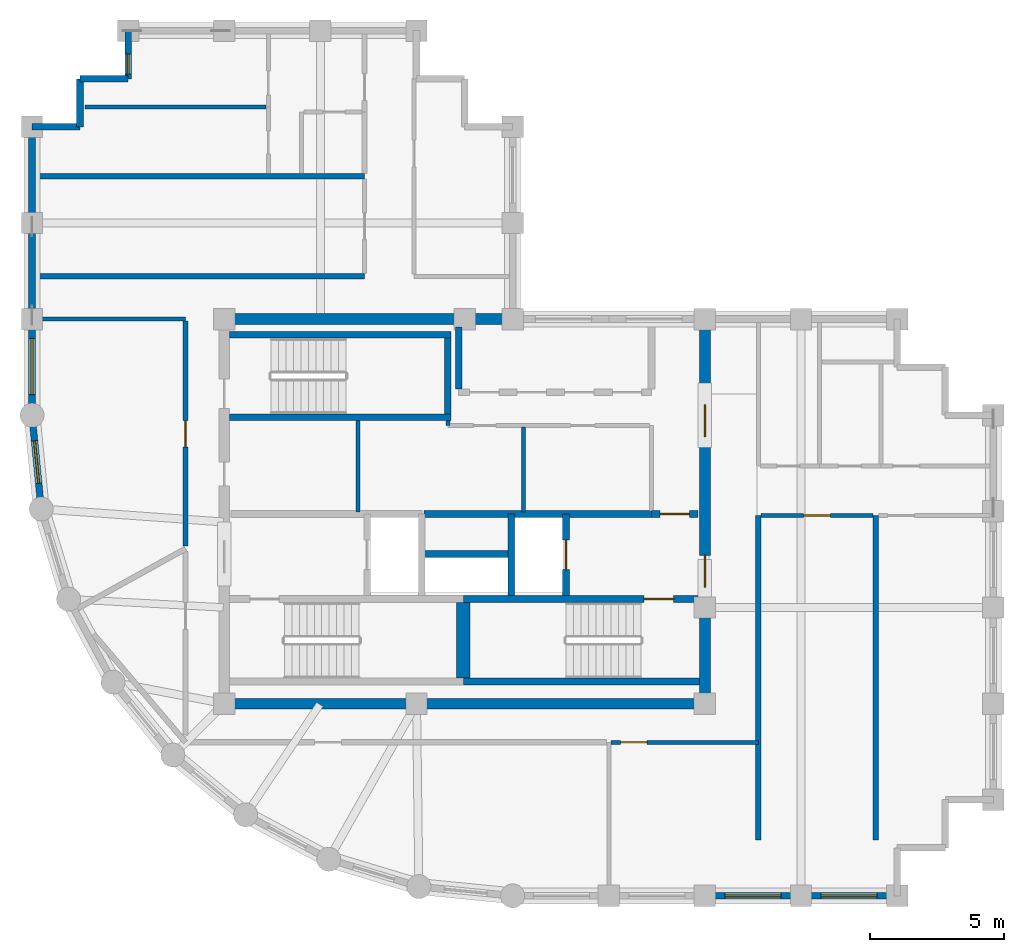
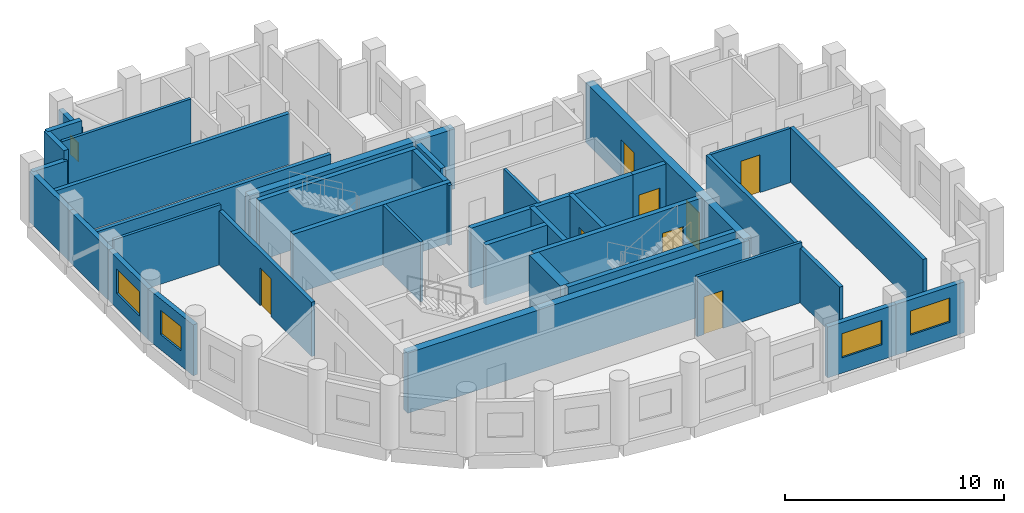
# One storey, part 3 of 6: 37 walls, 8 doors, 5 windows, 13 openings.
"""IFC4 building model written with IfcOpenShell, lengths in metres."""

from ifc_helpers import new_model, si_unit, direction, frame, frame_2d, origin, place, context, subcontext, project, spatial, rectangle, extrude, material, layer, layer_set, type_object, element, fill, save


model = new_model("IFC4")

# Units and contexts
model_context = context("Model", 3, precision=1e-05, world=origin(), true_north=direction((0.0, 1.0)))
body_context = subcontext(model_context, "Body", "Model", "MODEL_VIEW")
ifc_project = project(units=[si_unit("LENGTHUNIT", "METRE"), si_unit("AREAUNIT", "SQUARE_METRE"), si_unit("VOLUMEUNIT", "CUBIC_METRE"), si_unit("PLANEANGLEUNIT", "RADIAN"), si_unit("MASSUNIT", "GRAM", prefix="KILO")], contexts=[model_context])

# Site, building, storey
site_placement = place(None, origin())
site = spatial("IfcSite", under=ifc_project, at=site_placement, CompositionType="ELEMENT")
building_placement = place(site_placement, origin())
building = spatial("IfcBuilding", under=site, at=building_placement, Name="Solnavia Interchange Tower", CompositionType="ELEMENT")
storey_placement = place(building_placement, frame((0.0, 0.0, 277.39990234375)))
storey = spatial("IfcBuildingStorey", under=building, at=storey_placement, Name="L70", CompositionType="ELEMENT", Elevation=277.39990234375)

# Wall, opening, door
ifc_material_1 = material(Name="Gypsum Acoustic Twin-Stud & Mineral Wool", Category="gypsum")
ifc_layer_1 = layer(ifc_material_1, 0.199951171875)
ifc_layer_set_1 = layer_set([ifc_layer_1], Name="Gypsum Acoustic Twin-Stud & Mineral Wool")
wall_type_1 = type_object("IfcWallType", Name="Wall-ApartmentParty-200", PredefinedType="PARTITIONING", material=ifc_layer_set_1)
wall_1_placement = place(storey_placement, frame((12.949951171875, 16.7041015625, 0.0), z_axis=(0.0, 0.0, 1.0), x_axis=(0.0, 1.0, 0.0)))
wall_1 = element("IfcWall", 1, at=wall_1_placement, inside=storey, type_object=wall_type_1, Name="PTW-L70-11 Interior partition wall", PredefinedType="PARTITIONING", context=body_context, shape_type="SweptSolid", body=[
    extrude(rectangle(XDim=8.4169921875, YDim=0.199951171875, at=frame_2d((4.20849609375, 0.0))), origin(), (0.0, 0.0, 1.0), 3.02001953125),
])
opening_1_placement = place(wall_1_placement, frame((3.696044921875, 0.0, 0.0)))
opening_1 = element("IfcOpeningElement", 2, at=opening_1_placement, cuts=wall_1, Name="Opening DR-07", PredefinedType="OPENING", context=body_context, shape_type="SweptSolid", body=[
    extrude(rectangle(XDim=1.0, YDim=2.10009765625, at=frame_2d((0.5, 1.050048828125))), frame((0.0, 0.10986328125, 0.0), z_axis=(0.0, -1.0, 0.0), x_axis=(1.0, 0.0, 0.0)), (0.0, 0.0, 1.0), 0.219970703125),
])
ifc_material_2 = material(Name="Timber & Acoustic Glazed Office Door", Category="wood")
door_type_1 = type_object("IfcDoorType", Name="Door-Office-1000x2100", OperationType="SINGLE_SWING_RIGHT", PredefinedType="DOOR", material=ifc_material_2)
door_1_placement = place(opening_1_placement, origin())
door_1 = element("IfcDoor", 3, at=door_1_placement, inside=storey, type_object=door_type_1, Name="DR-L70-03 Interior room door", OperationType="SINGLE_SWING_LEFT", OverallHeight=2.10009765625, OverallWidth=1.0, PredefinedType="DOOR", context=body_context, shape_type="SweptSolid", body=[
    extrude(rectangle(XDim=1.0, YDim=2.10009765625, at=frame_2d((0.5, 1.050048828125))), frame((0.0, 0.02490234375, 0.0), z_axis=(0.0, -1.0, 0.0), x_axis=(1.0, 0.0, 0.0)), (0.0, 0.0, 1.0), 0.050048828125),
])
fill(opening_1, door_1)

# Walls
for number, where, z_axis, x_axis, name in (
    (4, (34.39990234375, 5.699951171875, 0.0), (0.0, 0.0, 1.0), (0.0, 1.0, 0.0), "PTW-L70-15 Interior partition wall"),
    (5, (38.800048828125, 5.699951171875, 0.0), (0.0, 0.0, 1.0), (0.0, 1.0, 0.0), "PTW-L70-16 Interior partition wall"),
):
    element("IfcWall", number, at=place(storey_placement, frame(where, z_axis=z_axis, x_axis=x_axis)), inside=storey, type_object=wall_type_1, Name=name, PredefinedType="PARTITIONING", context=body_context, shape_type="SweptSolid", body=[
        extrude(rectangle(XDim=12.150146484375, YDim=0.199951171875, at=frame_2d((6.0751953125, 0.0))), origin(), (0.0, 0.0, 1.0), 3.030029296875),
    ])
for number, where, z_axis, x_axis, name in (
    (6, (7.3291015625, 26.800048828125, 0.0), (0.0, 0.0, 1.0), (1.0, 0.0, 0.0), "PTW-L70-20 Interior partition wall"),
    (7, (7.3291015625, 30.550048828125, 0.0), (0.0, 0.0, 1.0), (1.0, 0.0, 0.0), "PTW-L70-21 Interior partition wall"),
):
    element("IfcWall", number, at=place(storey_placement, frame(where, z_axis=z_axis, x_axis=x_axis)), inside=storey, type_object=wall_type_1, Name=name, PredefinedType="PARTITIONING", context=body_context, shape_type="SweptSolid", body=[
        extrude(rectangle(XDim=12.32080078125, YDim=0.199951171875, at=frame_2d((6.160400390625, 0.0))), origin(), (0.0, 0.0, 1.0), 2.830078125),
    ])

# Wall, opening, window
ifc_material_3 = material(Name="Concrete C40/50", Category="concrete")
ifc_layer_2 = layer(ifc_material_3, 0.25)
ifc_layer_set_2 = layer_set([ifc_layer_2], Name="Concrete C40/50")
wall_type_2 = type_object("IfcWallType", Name="Wall-ExtSpandrel-250", PredefinedType="STANDARD", material=ifc_layer_set_2)
wall_2_placement = place(storey_placement, frame((36.0, 3.60009765625, 0.0), z_axis=(0.0, 0.0, 1.0), x_axis=(-1.0, 0.0, 0.0)))
wall_2 = element("IfcWall", 8, at=wall_2_placement, inside=storey, type_object=wall_type_2, Name="EXW-L70-03 Exterior precast spandrel wall", PredefinedType="STANDARD", context=body_context, shape_type="SweptSolid", body=[
    extrude(rectangle(XDim=3.60009765625, YDim=0.25, at=frame_2d((1.800048828125, 0.0))), origin(), (0.0, 0.0, 1.0), 2.830078125),
])
opening_2_placement = place(wall_2_placement, frame((0.75, 0.0, 0.85009765625)))
opening_2 = element("IfcOpeningElement", 9, at=opening_2_placement, cuts=wall_2, Name="Opening WIN-01", PredefinedType="OPENING", context=body_context, shape_type="SweptSolid", body=[
    extrude(rectangle(XDim=2.10009765625, YDim=1.35009765625, at=frame_2d((1.050048828125, 0.675048828125))), frame((0.0, 0.135009765625, 0.0), z_axis=(0.0, -1.0, 0.0), x_axis=(1.0, 0.0, 0.0)), (0.0, 0.0, 1.0), 0.27001953125),
])
ifc_material_4 = material(Name="Thermal-Break Aluminium & Low-E Glass", Category="aluminium")
window_type_1 = type_object("IfcWindowType", Name="Window-Ribbon-2100x1350", PartitioningType="SINGLE_PANEL", PredefinedType="WINDOW", material=ifc_material_4)
window_1_placement = place(opening_2_placement, origin())
window_1 = element("IfcWindow", 10, at=window_1_placement, inside=storey, type_object=window_type_1, Name="WIN-L70-03 Facade ribbon window", OverallHeight=1.35009765625, OverallWidth=2.10009765625, PartitioningType="SINGLE_PANEL", PredefinedType="WINDOW", context=body_context, shape_type="SweptSolid", body=[
    extrude(rectangle(XDim=2.10009765625, YDim=1.35009765625, at=frame_2d((1.050048828125, 0.675048828125))), frame((0.0, 0.030029296875, 0.0), z_axis=(0.0, -1.0, 0.0), x_axis=(1.0, 0.0, 0.0)), (0.0, 0.0, 1.0), 0.06005859375),
])
fill(opening_2, window_1)

wall_3_placement = place(storey_placement, frame((39.60009765625, 3.60009765625, 0.0), z_axis=(0.0, 0.0, 1.0), x_axis=(-1.0, 0.0, 0.0)))
wall_3 = element("IfcWall", 11, at=wall_3_placement, inside=storey, type_object=wall_type_2, Name="EXW-L70-04 Exterior precast spandrel wall", PredefinedType="STANDARD", context=body_context, shape_type="SweptSolid", body=[
    extrude(rectangle(XDim=3.60009765625, YDim=0.25, at=frame_2d((1.800048828125, 0.0))), origin(), (0.0, 0.0, 1.0), 2.830078125),
])
opening_3_placement = place(wall_3_placement, frame((0.75, 0.0, 0.85009765625)))
opening_3 = element("IfcOpeningElement", 12, at=opening_3_placement, cuts=wall_3, Name="Opening WIN-01", PredefinedType="OPENING", context=body_context, shape_type="SweptSolid", body=[
    extrude(rectangle(XDim=2.10009765625, YDim=1.35009765625, at=frame_2d((1.050048828125, 0.675048828125))), frame((0.0, 0.135009765625, 0.0), z_axis=(0.0, -1.0, 0.0), x_axis=(1.0, 0.0, 0.0)), (0.0, 0.0, 1.0), 0.27001953125),
])
window_2_placement = place(opening_3_placement, origin())
window_2 = element("IfcWindow", 13, at=window_2_placement, inside=storey, type_object=window_type_1, Name="WIN-L70-04 Facade ribbon window", OverallHeight=1.35009765625, OverallWidth=2.10009765625, PartitioningType="SINGLE_PANEL", PredefinedType="WINDOW", context=body_context, shape_type="SweptSolid", body=[
    extrude(rectangle(XDim=2.10009765625, YDim=1.35009765625, at=frame_2d((1.050048828125, 0.675048828125))), frame((0.0, 0.030029296875, 0.0), z_axis=(0.0, -1.0, 0.0), x_axis=(1.0, 0.0, 0.0)), (0.0, 0.0, 1.0), 0.06005859375),
])
fill(opening_3, window_2)

wall_4_placement = place(storey_placement, frame((10.800048828125, 34.199951171875, 0.0), z_axis=(0.0, 0.0, 1.0), x_axis=(0.0, 1.0, 0.0)))
wall_4 = element("IfcWall", 14, at=wall_4_placement, inside=storey, type_object=wall_type_2, Name="EXW-L70-30 Exterior precast spandrel wall", PredefinedType="STANDARD", context=body_context, shape_type="SweptSolid", body=[
    extrude(rectangle(XDim=1.800048828125, YDim=0.25, at=frame_2d((0.89990234375, 0.0))), origin(), (0.0, 0.0, 1.0), 2.830078125),
])
opening_4_placement = place(wall_4_placement, frame((0.179931640625, 0.0, 0.85009765625)))
opening_4 = element("IfcOpeningElement", 15, at=opening_4_placement, cuts=wall_4, Name="Opening WIN-08", PredefinedType="OPENING", context=body_context, shape_type="SweptSolid", body=[
    extrude(rectangle(XDim=0.75, YDim=1.050048828125, at=frame_2d((0.375, 0.52490234375))), frame((0.0, 0.135009765625, 0.0), z_axis=(0.0, -1.0, 0.0), x_axis=(1.0, 0.0, 0.0)), (0.0, 0.0, 1.0), 0.27001953125),
])
window_type_2 = type_object("IfcWindowType", Name="Window-Bedroom-750x1050", PartitioningType="SINGLE_PANEL", PredefinedType="WINDOW", material=ifc_material_4)
window_3_placement = place(opening_4_placement, origin())
window_3 = element("IfcWindow", 16, at=window_3_placement, inside=storey, type_object=window_type_2, Name="WIN-L70-DW01 Dwelling bedroom window", OverallHeight=1.050048828125, OverallWidth=0.75, PartitioningType="SINGLE_PANEL", PredefinedType="WINDOW", context=body_context, shape_type="SweptSolid", body=[
    extrude(rectangle(XDim=0.75, YDim=1.050048828125, at=frame_2d((0.375, 0.52490234375))), frame((0.0, 0.030029296875, 0.0), z_axis=(0.0, -1.0, 0.0), x_axis=(1.0, 0.0, 0.0)), (0.0, 0.0, 1.0), 0.06005859375),
])
fill(opening_4, window_3)

# Walls
for number, where, z_axis, x_axis, name in (
    (17, (9.0, 34.199951171875, 0.0), (0.0, 0.0, 1.0), (1.0, 0.0, 0.0), "EXW-L70-31 Exterior precast spandrel wall"),
    (18, (9.0, 32.39990234375, 0.0), (0.0, 0.0, 1.0), (0.0, 1.0, 0.0), "EXW-L70-32 Exterior precast spandrel wall"),
):
    element("IfcWall", number, at=place(storey_placement, frame(where, z_axis=z_axis, x_axis=x_axis)), inside=storey, type_object=wall_type_2, Name=name, PredefinedType="STANDARD", context=body_context, shape_type="SweptSolid", body=[
        extrude(rectangle(XDim=1.800048828125, YDim=0.25, at=frame_2d((0.89990234375, 0.0))), origin(), (0.0, 0.0, 1.0), 3.335205078125),
    ])
wall_5_placement = place(storey_placement, frame((7.199951171875, 32.39990234375, 0.0), z_axis=(0.0, 0.0, 1.0), x_axis=(1.0, 0.0, 0.0)))
element("IfcWall", 19, at=wall_5_placement, inside=storey, type_object=wall_type_2, Name="EXW-L70-33 Exterior precast spandrel wall", PredefinedType="STANDARD", context=body_context, shape_type="SweptSolid", body=[
    extrude(rectangle(XDim=1.800048828125, YDim=0.25, at=frame_2d((0.89990234375, 0.0))), origin(), (0.0, 0.0, 1.0), 2.830078125),
])
wall_6_placement = place(storey_placement, frame((7.199951171875, 28.800048828125, 0.0), z_axis=(0.0, 0.0, 1.0), x_axis=(0.0, 1.0, 0.0)))
element("IfcWall", 20, at=wall_6_placement, inside=storey, type_object=wall_type_2, Name="EXW-L70-34 Exterior precast spandrel wall", PredefinedType="STANDARD", context=body_context, shape_type="SweptSolid", body=[
    extrude(rectangle(XDim=3.599853515625, YDim=0.25, at=frame_2d((1.7998046875, 0.0))), origin(), (0.0, 0.0, 1.0), 2.830078125),
])
wall_7_placement = place(storey_placement, frame((7.199951171875, 25.199951171875, 0.0), z_axis=(0.0, 0.0, 1.0), x_axis=(0.0, 1.0, 0.0)))
element("IfcWall", 21, at=wall_7_placement, inside=storey, type_object=wall_type_2, Name="EXW-L70-35 Exterior precast spandrel wall", PredefinedType="STANDARD", context=body_context, shape_type="SweptSolid", body=[
    extrude(rectangle(XDim=3.60009765625, YDim=0.25, at=frame_2d((1.800048828125, 0.0))), origin(), (0.0, 0.0, 1.0), 2.830078125),
])

# Wall, opening, window
wall_8_placement = place(storey_placement, frame((7.199951171875, 21.60009765625, 0.0), z_axis=(0.0, 0.0, 1.0), x_axis=(0.0, 1.0, 0.0)))
wall_8 = element("IfcWall", 22, at=wall_8_placement, inside=storey, type_object=wall_type_2, Name="EXW-L70-36 Exterior precast spandrel wall", PredefinedType="STANDARD", context=body_context, shape_type="SweptSolid", body=[
    extrude(rectangle(XDim=3.599853515625, YDim=0.25, at=frame_2d((1.7998046875, 0.0))), origin(), (0.0, 0.0, 1.0), 2.830078125),
])
opening_5_placement = place(wall_8_placement, frame((0.77490234375, 0.0, 0.85009765625)))
opening_5 = element("IfcOpeningElement", 23, at=opening_5_placement, cuts=wall_8, Name="Opening WIN-01", PredefinedType="OPENING", context=body_context, shape_type="SweptSolid", body=[
    extrude(rectangle(XDim=2.10009765625, YDim=1.35009765625, at=frame_2d((1.050048828125, 0.675048828125))), frame((0.0, 0.135009765625, 0.0), z_axis=(0.0, -1.0, 0.0), x_axis=(1.0, 0.0, 0.0)), (0.0, 0.0, 1.0), 0.27001953125),
])
window_4_placement = place(opening_5_placement, origin())
window_4 = element("IfcWindow", 24, at=window_4_placement, inside=storey, type_object=window_type_1, Name="WIN-L70-36 Facade ribbon window", OverallHeight=1.35009765625, OverallWidth=2.10009765625, PartitioningType="SINGLE_PANEL", PredefinedType="WINDOW", context=body_context, shape_type="SweptSolid", body=[
    extrude(rectangle(XDim=2.10009765625, YDim=1.35009765625, at=frame_2d((1.050048828125, 0.675048828125))), frame((0.0, 0.030029296875, 0.0), z_axis=(0.0, -1.0, 0.0), x_axis=(1.0, 0.0, 0.0)), (0.0, 0.0, 1.0), 0.06005859375),
])
fill(opening_5, window_4)

wall_9_placement = place(storey_placement, frame((7.5458984375, 18.087890625, 0.0), z_axis=(0.0, 0.0, 1.0), x_axis=(-0.09802417461, 0.995184033831, 0.0)))
wall_9 = element("IfcWall", 25, at=wall_9_placement, inside=storey, type_object=wall_type_2, Name="EXW-L70-37 Exterior precast spandrel wall", PredefinedType="STANDARD", context=body_context, shape_type="SweptSolid", body=[
    extrude(rectangle(XDim=3.529296875, YDim=0.25, at=frame_2d((1.7646484375, 0.0))), origin(), (0.0, 0.0, 1.0), 2.830078125),
])
opening_6_placement = place(wall_9_placement, frame((0.965087890625, 0.0, 0.85009765625)))
opening_6 = element("IfcOpeningElement", 26, at=opening_6_placement, cuts=wall_9, Name="Opening WIN-04", PredefinedType="OPENING", context=body_context, shape_type="SweptSolid", body=[
    extrude(rectangle(XDim=1.60009765625, YDim=1.35009765625, at=frame_2d((0.800048828125, 0.675048828125))), frame((0.0, 0.135009765625, 0.0), z_axis=(0.0, -1.0, 0.0), x_axis=(1.0, 0.0, 0.0)), (0.0, 0.0, 1.0), 0.27001953125),
])
window_type_3 = type_object("IfcWindowType", Name="Window-Drum-1600x1350", PartitioningType="SINGLE_PANEL", PredefinedType="WINDOW", material=ifc_material_4)
window_5_placement = place(opening_6_placement, origin())
window_5 = element("IfcWindow", 27, at=window_5_placement, inside=storey, type_object=window_type_3, Name="WIN-L70-37 Facade ribbon window", OverallHeight=1.35009765625, OverallWidth=1.60009765625, PartitioningType="SINGLE_PANEL", PredefinedType="WINDOW", context=body_context, shape_type="SweptSolid", body=[
    extrude(rectangle(XDim=1.60009765625, YDim=1.35009765625, at=frame_2d((0.800048828125, 0.675048828125))), frame((0.0, 0.030029296875, 0.0), z_axis=(0.0, -1.0, 0.0), x_axis=(1.0, 0.0, 0.0)), (0.0, 0.0, 1.0), 0.06005859375),
])
fill(opening_6, window_5)

# Walls
ifc_material_5 = material(Name="Gypsum Plasterboard & Steel Stud", Category="steel")
ifc_layer_3 = layer(ifc_material_5, 0.14990234375)
ifc_layer_set_3 = layer_set([ifc_layer_3], Name="Gypsum Plasterboard & Steel Stud")
wall_type_3 = type_object("IfcWallType", Name="Wall-Partition-150", PredefinedType="PARTITIONING", material=ifc_layer_set_3)
wall_10_placement = place(storey_placement, frame((22.77490234375, 21.219970703125, 0.0), z_axis=(0.0, 0.0, 1.0), x_axis=(0.0, 1.0, 0.0)))
element("IfcWall", 28, at=wall_10_placement, inside=storey, type_object=wall_type_3, Name="CSW-L70-ST-TIE Core shaft wall", PredefinedType="PARTITIONING", context=body_context, shape_type="SweptSolid", body=[
    extrude(rectangle(XDim=0.175048828125, YDim=0.14990234375, at=frame_2d((0.08740234375, 0.0))), origin(), (0.0, 0.0, 1.0), 3.335205078125),
])
wall_11_placement = place(storey_placement, frame((19.39990234375, 17.97998046875, 0.0), z_axis=(0.0, 0.0, 1.0), x_axis=(0.0, 1.0, 0.0)))
element("IfcWall", 29, at=wall_11_placement, inside=storey, type_object=wall_type_3, Name="CSW-L70-M1 Core shaft wall", PredefinedType="PARTITIONING", context=body_context, shape_type="SweptSolid", body=[
    extrude(rectangle(XDim=3.419921875, YDim=0.14990234375, at=frame_2d((1.7099609375, 0.0))), origin(), (0.0, 0.0, 1.0), 3.335205078125),
])
wall_12_placement = place(storey_placement, frame((25.60009765625, 17.97998046875, 0.0), z_axis=(0.0, 0.0, 1.0), x_axis=(0.0, 1.0, 0.0)))
element("IfcWall", 30, at=wall_12_placement, inside=storey, type_object=wall_type_3, Name="CSW-L70-M2 Core shaft wall", PredefinedType="PARTITIONING", context=body_context, shape_type="SweptSolid", body=[
    extrude(rectangle(XDim=3.169921875, YDim=0.14990234375, at=frame_2d((1.5849609375, 0.0))), origin(), (0.0, 0.0, 1.0), 3.335205078125),
])
wall_13_placement = place(storey_placement, frame((7.3291015625, 25.199951171875, 0.0), z_axis=(0.0, 0.0, 1.0), x_axis=(1.0, 0.0, 0.0)))
element("IfcWall", 31, at=wall_13_placement, inside=storey, type_object=wall_type_3, Name="PTW-L70-07 Interior partition wall", PredefinedType="PARTITIONING", context=body_context, shape_type="SweptSolid", body=[
    extrude(rectangle(XDim=5.620849609375, YDim=0.14990234375, at=frame_2d((2.810546875, 0.0))), origin(), (0.0, 0.0, 1.0), 3.335205078125),
])

# Wall, opening, door
wall_14_placement = place(storey_placement, frame((28.87890625, 9.35009765625, 0.0), z_axis=(0.0, 0.0, 1.0), x_axis=(1.0, 0.0, 0.0)))
wall_14 = element("IfcWall", 32, at=wall_14_placement, inside=storey, type_object=wall_type_3, Name="PTW-L70-14 Interior partition wall", PredefinedType="PARTITIONING", context=body_context, shape_type="SweptSolid", body=[
    extrude(rectangle(XDim=5.52099609375, YDim=0.14990234375, at=frame_2d((2.760498046875, 0.0))), origin(), (0.0, 0.0, 1.0), 3.335205078125),
])
opening_7_placement = place(wall_14_placement, frame((0.360107421875, 0.0, 0.0)))
opening_7 = element("IfcOpeningElement", 33, at=opening_7_placement, cuts=wall_14, Name="Opening DR-07", PredefinedType="OPENING", context=body_context, shape_type="SweptSolid", body=[
    extrude(rectangle(XDim=1.0, YDim=2.10009765625, at=frame_2d((0.5, 1.050048828125))), frame((0.0, 0.0849609375, 0.0), z_axis=(0.0, -1.0, 0.0), x_axis=(1.0, 0.0, 0.0)), (0.0, 0.0, 1.0), 0.169921875),
])
door_2_placement = place(opening_7_placement, origin())
door_2 = element("IfcDoor", 34, at=door_2_placement, inside=storey, type_object=door_type_1, Name="DR-L70-06 Interior room door", OperationType="SINGLE_SWING_LEFT", OverallHeight=2.10009765625, OverallWidth=1.0, PredefinedType="DOOR", context=body_context, shape_type="SweptSolid", body=[
    extrude(rectangle(XDim=1.0, YDim=2.10009765625, at=frame_2d((0.5, 1.050048828125))), frame((0.0, 0.02490234375, 0.0), z_axis=(0.0, -1.0, 0.0), x_axis=(1.0, 0.0, 0.0)), (0.0, 0.0, 1.0), 0.050048828125),
])
fill(opening_7, door_2)

wall_15_placement = place(storey_placement, frame((34.50390625, 17.85009765625, 0.0), z_axis=(0.0, 0.0, 1.0), x_axis=(1.0, 0.0, 0.0)))
wall_15 = element("IfcWall", 35, at=wall_15_placement, inside=storey, type_object=wall_type_3, Name="PTW-L70-17 Interior partition wall", PredefinedType="PARTITIONING", context=body_context, shape_type="SweptSolid", body=[
    extrude(rectangle(XDim=4.192138671875, YDim=0.14990234375, at=frame_2d((2.09619140625, 0.0))), origin(), (0.0, 0.0, 1.0), 3.02001953125),
])
opening_8_placement = place(wall_15_placement, frame((1.595947265625, 0.0, 0.0)))
opening_8 = element("IfcOpeningElement", 36, at=opening_8_placement, cuts=wall_15, Name="Opening DR-07", PredefinedType="OPENING", context=body_context, shape_type="SweptSolid", body=[
    extrude(rectangle(XDim=1.0, YDim=2.10009765625, at=frame_2d((0.5, 1.050048828125))), frame((0.0, 0.0849609375, 0.0), z_axis=(0.0, -1.0, 0.0), x_axis=(1.0, 0.0, 0.0)), (0.0, 0.0, 1.0), 0.169921875),
])
door_3_placement = place(opening_8_placement, origin())
door_3 = element("IfcDoor", 37, at=door_3_placement, inside=storey, type_object=door_type_1, Name="DR-L70-07 Interior room door", OperationType="SINGLE_SWING_LEFT", OverallHeight=2.10009765625, OverallWidth=1.0, PredefinedType="DOOR", context=body_context, shape_type="SweptSolid", body=[
    extrude(rectangle(XDim=1.0, YDim=2.10009765625, at=frame_2d((0.5, 1.050048828125))), frame((0.0, 0.02490234375, 0.0), z_axis=(0.0, -1.0, 0.0), x_axis=(1.0, 0.0, 0.0)), (0.0, 0.0, 1.0), 0.050048828125),
])
fill(opening_8, door_3)

# Wall
ifc_layer_4 = layer(ifc_material_3, 0.25)
ifc_layer_set_4 = layer_set([ifc_layer_4], Name="Concrete C40/50")
wall_type_4 = type_object("IfcWallType", Name="Wall-ShaftCore-250", PredefinedType="SHEAR", material=ifc_layer_set_4)
wall_16_placement = place(storey_placement, frame((23.35009765625, 11.625, 0.0), z_axis=(0.0, 0.0, 1.0), x_axis=(1.0, 0.0, 0.0)))
element("IfcWall", 38, at=wall_16_placement, inside=storey, type_object=wall_type_4, Name="SHW-L70-ST2S Core shear wall", PredefinedType="SHEAR", context=body_context, shape_type="SweptSolid", body=[
    extrude(rectangle(XDim=8.849853515625, YDim=0.25, at=frame_2d((4.4248046875, 0.0))), origin(), (0.0, 0.0, 1.0), 3.35009765625),
])

# Wall, opening, door
wall_17_placement = place(storey_placement, frame((23.35009765625, 14.715087890625, 0.0), z_axis=(0.0, 0.0, 1.0), x_axis=(1.0, 0.0, 0.0)))
wall_17 = element("IfcWall", 39, at=wall_17_placement, inside=storey, type_object=wall_type_4, Name="SHW-L70-ST2N Core shear wall", PredefinedType="SHEAR", context=body_context, shape_type="SweptSolid", body=[
    extrude(rectangle(XDim=8.849853515625, YDim=0.25, at=frame_2d((4.4248046875, 0.0))), origin(), (0.0, 0.0, 1.0), 3.35009765625),
])
opening_9_placement = place(wall_17_placement, frame((6.77490234375, 0.0, 0.0)))
opening_9 = element("IfcOpeningElement", 40, at=opening_9_placement, cuts=wall_17, Name="Opening DR-01", PredefinedType="OPENING", context=body_context, shape_type="SweptSolid", body=[
    extrude(rectangle(XDim=1.10009765625, YDim=2.10009765625, at=frame_2d((0.550048828125, 1.050048828125))), frame((0.0, 0.135009765625, 0.0), z_axis=(0.0, -1.0, 0.0), x_axis=(1.0, 0.0, 0.0)), (0.0, 0.0, 1.0), 0.27001953125),
])
ifc_material_6 = material(Name="Steel Fire-Rated Leaf & Frame", Category="steel")
door_type_2 = type_object("IfcDoorType", Name="Door-StairFire-1100x2100", OperationType="SINGLE_SWING_LEFT", PredefinedType="DOOR", material=ifc_material_6)
door_4_placement = place(opening_9_placement, origin())
door_4 = element("IfcDoor", 41, at=door_4_placement, inside=storey, type_object=door_type_2, Name="DR-L70-ST2 Core fire door", OperationType="SINGLE_SWING_LEFT", OverallHeight=2.10009765625, OverallWidth=1.10009765625, PredefinedType="DOOR", context=body_context, shape_type="SweptSolid", body=[
    extrude(rectangle(XDim=1.10009765625, YDim=2.10009765625, at=frame_2d((0.550048828125, 1.050048828125))), frame((0.0, 0.02490234375, 0.0), z_axis=(0.0, -1.0, 0.0), x_axis=(1.0, 0.0, 0.0)), (0.0, 0.0, 1.0), 0.050048828125),
])
fill(opening_9, door_4)

# Walls
for number, where, z_axis, x_axis, name in (
    (42, (14.60009765625, 21.52490234375, 0.0), (0.0, 0.0, 1.0), (1.0, 0.0, 0.0), "SHW-L70-ST3S Core shear wall"),
    (43, (14.60009765625, 24.614990234375, 0.0), (0.0, 0.0, 1.0), (1.0, 0.0, 0.0), "SHW-L70-ST3N Core shear wall"),
):
    element("IfcWall", number, at=place(storey_placement, frame(where, z_axis=z_axis, x_axis=x_axis)), inside=storey, type_object=wall_type_4, Name=name, PredefinedType="SHEAR", context=body_context, shape_type="SweptSolid", body=[
        extrude(rectangle(XDim=8.2998046875, YDim=0.25, at=frame_2d((4.14990234375, 0.0))), origin(), (0.0, 0.0, 1.0), 3.35009765625),
    ])
wall_18_placement = place(storey_placement, frame((22.77490234375, 21.64990234375, 0.0), z_axis=(0.0, 0.0, 1.0), x_axis=(0.0, 1.0, 0.0)))
element("IfcWall", 44, at=wall_18_placement, inside=storey, type_object=wall_type_4, Name="SHW-L70-ST3E Core shear wall", PredefinedType="SHEAR", context=body_context, shape_type="SweptSolid", body=[
    extrude(rectangle(XDim=2.840087890625, YDim=0.25, at=frame_2d((1.419921875, 0.0))), origin(), (0.0, 0.0, 1.0), 3.35009765625),
])
ifc_layer_5 = layer(ifc_material_3, 0.25)
ifc_layer_set_5 = layer_set([ifc_layer_5], Name="Concrete C40/50")
wall_type_5 = type_object("IfcWallType", Name="Wall-ShaftPart-250", PredefinedType="PARTITIONING", material=ifc_layer_set_5)
wall_19_placement = place(storey_placement, frame((21.8798828125, 17.89990234375, 0.0), z_axis=(0.0, 0.0, 1.0), x_axis=(1.0, 0.0, 0.0)))
element("IfcWall", 45, at=wall_19_placement, inside=storey, type_object=wall_type_5, Name="SHW-L70-FFLE-N1 Core shaft wall", PredefinedType="PARTITIONING", context=body_context, shape_type="SweptSolid", body=[
    extrude(rectangle(XDim=8.52001953125, YDim=0.25, at=frame_2d((4.260009765625, 0.0))), origin(), (0.0, 0.0, 1.0), 3.335205078125),
])

# Wall, opening, door
wall_20_placement = place(storey_placement, frame((30.39990234375, 17.89990234375, 0.0), z_axis=(0.0, 0.0, 1.0), x_axis=(1.0, 0.0, 0.0)))
wall_20 = element("IfcWall", 46, at=wall_20_placement, inside=storey, type_object=wall_type_5, Name="SHW-L70-FFLE-N2 Core shaft wall", PredefinedType="PARTITIONING", context=body_context, shape_type="SweptSolid", body=[
    extrude(rectangle(XDim=1.75, YDim=0.25, at=frame_2d((0.875, 0.0))), origin(), (0.0, 0.0, 1.0), 3.335205078125),
])
opening_10_placement = place(wall_20_placement, frame((0.320068359375, 0.0, 0.0)))
opening_10 = element("IfcOpeningElement", 47, at=opening_10_placement, cuts=wall_20, Name="Opening DR-01", PredefinedType="OPENING", context=body_context, shape_type="SweptSolid", body=[
    extrude(rectangle(XDim=1.10009765625, YDim=2.10009765625, at=frame_2d((0.550048828125, 1.050048828125))), frame((0.0, 0.135009765625, 0.0), z_axis=(0.0, -1.0, 0.0), x_axis=(1.0, 0.0, 0.0)), (0.0, 0.0, 1.0), 0.27001953125),
])
door_5_placement = place(opening_10_placement, origin())
door_5 = element("IfcDoor", 48, at=door_5_placement, inside=storey, type_object=door_type_2, Name="DR-L70-LLC Core fire door", OperationType="SINGLE_SWING_LEFT", OverallHeight=2.10009765625, OverallWidth=1.10009765625, PredefinedType="DOOR", context=body_context, shape_type="SweptSolid", body=[
    extrude(rectangle(XDim=1.10009765625, YDim=2.10009765625, at=frame_2d((0.550048828125, 1.050048828125))), frame((0.0, 0.02490234375, 0.0), z_axis=(0.0, -1.0, 0.0), x_axis=(1.0, 0.0, 0.0)), (0.0, 0.0, 1.0), 0.050048828125),
])
fill(opening_10, door_5)

# Wall
wall_21_placement = place(storey_placement, frame((25.14990234375, 14.840087890625, 0.0), z_axis=(0.0, 0.0, 1.0), x_axis=(0.0, 1.0, 0.0)))
element("IfcWall", 49, at=wall_21_placement, inside=storey, type_object=wall_type_5, Name="SHW-L70-FFL2-W Core shaft wall", PredefinedType="PARTITIONING", context=body_context, shape_type="SweptSolid", body=[
    extrude(rectangle(XDim=3.059814453125, YDim=0.25, at=frame_2d((1.52978515625, 0.0))), origin(), (0.0, 0.0, 1.0), 3.335205078125),
])

# Wall, opening, door
wall_22_placement = place(storey_placement, frame((27.199951171875, 14.840087890625, 0.0), z_axis=(0.0, 0.0, 1.0), x_axis=(0.0, 1.0, 0.0)))
wall_22 = element("IfcWall", 50, at=wall_22_placement, inside=storey, type_object=wall_type_5, Name="SHW-L70-FFL2-E Core shaft wall", PredefinedType="PARTITIONING", context=body_context, shape_type="SweptSolid", body=[
    extrude(rectangle(XDim=3.059814453125, YDim=0.25, at=frame_2d((1.52978515625, 0.0))), origin(), (0.0, 0.0, 1.0), 3.335205078125),
])
opening_11_placement = place(wall_22_placement, frame((0.97998046875, 0.0, 0.0)))
opening_11 = element("IfcOpeningElement", 51, at=opening_11_placement, cuts=wall_22, Name="Opening LD-01", PredefinedType="OPENING", context=body_context, shape_type="SweptSolid", body=[
    extrude(rectangle(XDim=1.10009765625, YDim=2.10009765625, at=frame_2d((0.550048828125, 1.050048828125))), frame((0.0, 0.135009765625, 0.0), z_axis=(0.0, -1.0, 0.0), x_axis=(1.0, 0.0, 0.0)), (0.0, 0.0, 1.0), 0.27001953125),
])
ifc_material_7 = material(Name="Brushed Stainless Steel Sliding Door", Category="steel")
door_type_3 = type_object("IfcDoorType", Name="Door-LiftLanding-1100x2100", OperationType="SLIDING_TO_LEFT", PredefinedType="DOOR", material=ifc_material_7)
door_6_placement = place(opening_11_placement, origin())
door_6 = element("IfcDoor", 52, at=door_6_placement, inside=storey, type_object=door_type_3, Name="LD-L70-FFL2 Lift landing sliding door", OperationType="SLIDING_TO_LEFT", OverallHeight=2.10009765625, OverallWidth=1.10009765625, PredefinedType="DOOR", context=body_context, shape_type="SweptSolid", body=[
    extrude(rectangle(XDim=1.10009765625, YDim=2.10009765625, at=frame_2d((0.550048828125, 1.050048828125))), frame((0.0, 0.02490234375, 0.0), z_axis=(0.0, -1.0, 0.0), x_axis=(1.0, 0.0, 0.0)), (0.0, 0.0, 1.0), 0.050048828125),
])
fill(opening_11, door_6)

# Walls
wall_23_placement = place(storey_placement, frame((21.800048828125, 16.39990234375, 0.0), z_axis=(0.0, 0.0, 1.0), x_axis=(1.0, 0.0, 0.0)))
element("IfcWall", 53, at=wall_23_placement, inside=storey, type_object=wall_type_5, Name="SHW-L70-MEP-N Core shaft wall", PredefinedType="PARTITIONING", context=body_context, shape_type="SweptSolid", body=[
    extrude(rectangle(XDim=3.349853515625, YDim=0.25, at=frame_2d((1.6748046875, 0.0))), origin(), (0.0, 0.0, 1.0), 3.335205078125),
])
wall_24_placement = place(storey_placement, frame((23.179931640625, 22.5849609375, 0.0), z_axis=(0.0, 0.0, 1.0), x_axis=(0.0, 1.0, 0.0)))
element("IfcWall", 54, at=wall_24_placement, inside=storey, type_object=wall_type_5, Name="SHW-L70-B3W Core shaft wall", PredefinedType="PARTITIONING", context=body_context, shape_type="SweptSolid", body=[
    extrude(rectangle(XDim=2.31494140625, YDim=0.25, at=frame_2d((1.157470703125, 0.0))), origin(), (0.0, 0.0, 1.0), 3.335205078125),
])
ifc_material_8 = material(Name="Concrete C50/60", Category="concrete")
ifc_layer_6 = layer(ifc_material_8, 0.39990234375)
ifc_layer_set_6 = layer_set([ifc_layer_6], Name="Concrete C50/60")
wall_type_6 = type_object("IfcWallType", Name="Wall-ShearCore-400", PredefinedType="SHEAR", material=ifc_layer_set_6)
wall_25_placement = place(storey_placement, frame((14.39990234375, 10.800048828125, 0.0), z_axis=(0.0, 0.0, 1.0), x_axis=(1.0, 0.0, 0.0)))
element("IfcWall", 55, at=wall_25_placement, inside=storey, type_object=wall_type_6, Name="CRW-L70-S Core shear wall", PredefinedType="SHEAR", context=body_context, shape_type="SweptSolid", body=[
    extrude(rectangle(XDim=18.0, YDim=0.39990234375, at=frame_2d((9.0, 0.0))), origin(), (0.0, 0.0, 1.0), 3.35009765625),
])
wall_26_placement = place(storey_placement, frame((14.39990234375, 25.199951171875, 0.0), z_axis=(0.0, 0.0, 1.0), x_axis=(1.0, 0.0, 0.0)))
element("IfcWall", 56, at=wall_26_placement, inside=storey, type_object=wall_type_6, Name="CRW-L70-N Core shear wall", PredefinedType="SHEAR", context=body_context, shape_type="SweptSolid", body=[
    extrude(rectangle(XDim=10.800048828125, YDim=0.39990234375, at=frame_2d((5.39990234375, 0.0))), origin(), (0.0, 0.0, 1.0), 3.35009765625),
])

# Wall, openings, doors
wall_27_placement = place(storey_placement, frame((32.39990234375, 10.800048828125, 0.0), z_axis=(0.0, 0.0, 1.0), x_axis=(0.0, 1.0, 0.0)))
wall_27 = element("IfcWall", 57, at=wall_27_placement, inside=storey, type_object=wall_type_6, Name="CRW-L70-E Core shear wall", PredefinedType="SHEAR", context=body_context, shape_type="SweptSolid", body=[
    extrude(rectangle(XDim=14.39990234375, YDim=0.39990234375, at=frame_2d((7.199951171875, 0.0))), origin(), (0.0, 0.0, 1.0), 3.35009765625),
])
opening_12_placement = place(wall_27_placement, frame((4.35009765625, 0.0, 0.0)))
opening_12 = element("IfcOpeningElement", 58, at=opening_12_placement, cuts=wall_27, Name="Opening DR-02", PredefinedType="OPENING", context=body_context, shape_type="SweptSolid", body=[
    extrude(rectangle(XDim=1.199951171875, YDim=2.10009765625, at=frame_2d((0.60009765625, 1.050048828125))), frame((0.0, 0.2099609375, 0.0), z_axis=(0.0, -1.0, 0.0), x_axis=(1.0, 0.0, 0.0)), (0.0, 0.0, 1.0), 0.419921875),
])
opening_13_placement = place(wall_27_placement, frame((10.0, 0.0, 0.0)))
opening_13 = element("IfcOpeningElement", 59, at=opening_13_placement, cuts=wall_27, Name="Opening DR-02", PredefinedType="OPENING", context=body_context, shape_type="SweptSolid", body=[
    extrude(rectangle(XDim=1.199951171875, YDim=2.10009765625, at=frame_2d((0.60009765625, 1.050048828125))), frame((0.0, 0.2099609375, 0.0), z_axis=(0.0, -1.0, 0.0), x_axis=(1.0, 0.0, 0.0)), (0.0, 0.0, 1.0), 0.419921875),
])
ifc_material_9 = material(Name="Steel Fire-Rated Vision-Panel Door", Category="steel")
door_type_4 = type_object("IfcDoorType", Name="Door-LobbyFire-1200x2100", OperationType="SINGLE_SWING_RIGHT", PredefinedType="DOOR", material=ifc_material_9)
door_7_placement = place(opening_12_placement, origin())
door_7 = element("IfcDoor", 60, at=door_7_placement, inside=storey, type_object=door_type_4, Name="DR-L70-FFL2E Core fire door", OperationType="SINGLE_SWING_LEFT", OverallHeight=2.10009765625, OverallWidth=1.199951171875, PredefinedType="DOOR", context=body_context, shape_type="SweptSolid", body=[
    extrude(rectangle(XDim=1.199951171875, YDim=2.10009765625, at=frame_2d((0.60009765625, 1.050048828125))), frame((0.0, 0.02490234375, 0.0), z_axis=(0.0, -1.0, 0.0), x_axis=(1.0, 0.0, 0.0)), (0.0, 0.0, 1.0), 0.050048828125),
])
fill(opening_12, door_7)
door_8_placement = place(opening_13_placement, origin())
door_8 = element("IfcDoor", 61, at=door_8_placement, inside=storey, type_object=door_type_4, Name="DR-L70-LLE Core fire door", OperationType="SINGLE_SWING_RIGHT", OverallHeight=2.10009765625, OverallWidth=1.199951171875, PredefinedType="DOOR", context=body_context, shape_type="SweptSolid", body=[
    extrude(rectangle(XDim=1.199951171875, YDim=2.10009765625, at=frame_2d((0.60009765625, 1.050048828125))), frame((0.0, 0.02490234375, 0.0), z_axis=(0.0, -1.0, 0.0), x_axis=(1.0, 0.0, 0.0)), (0.0, 0.0, 1.0), 0.050048828125),
])
fill(opening_13, door_8)

# Walls
ifc_material_10 = material(Name="Concrete C60/75", Category="concrete")
ifc_layer_7 = layer(ifc_material_10, 0.5)
ifc_layer_set_7 = layer_set([ifc_layer_7], Name="Concrete C60/75")
wall_type_7 = type_object("IfcWallType", Name="Wall-ShearCore-500", PredefinedType="SHEAR", material=ifc_layer_set_7)
wall_28_placement = place(storey_placement, frame((23.35009765625, 11.75, 0.0), z_axis=(0.0, 0.0, 1.0), x_axis=(0.0, 1.0, 0.0)))
element("IfcWall", 62, at=wall_28_placement, inside=storey, type_object=wall_type_7, Name="SHW-L70-ST12M Core shear wall", PredefinedType="SHEAR", context=body_context, shape_type="SweptSolid", body=[
    extrude(rectangle(XDim=2.840087890625, YDim=0.5, at=frame_2d((1.419921875, 0.0))), origin(), (0.0, 0.0, 1.0), 3.35009765625),
])
ifc_material_11 = material(Name="Moisture-Resistant Gypsum & Steel Stud", Category="steel")
ifc_layer_8 = layer(ifc_material_11, 0.14990234375)
ifc_layer_set_8 = layer_set([ifc_layer_8], Name="Moisture-Resistant Gypsum & Steel Stud")
wall_type_8 = type_object("IfcWallType", Name="Wall-WetRoom-150", PredefinedType="PARTITIONING", material=ifc_layer_set_8)
wall_29_placement = place(storey_placement, frame((9.179931640625, 33.14990234375, 0.0), z_axis=(0.0, 0.0, 1.0), x_axis=(1.0, 0.0, 0.0)))
element("IfcWall", 63, at=wall_29_placement, inside=storey, type_object=wall_type_8, Name="PTW-L70-29 Interior partition wall", PredefinedType="PARTITIONING", context=body_context, shape_type="SweptSolid", body=[
    extrude(rectangle(XDim=6.791015625, YDim=0.14990234375, at=frame_2d((3.3955078125, 0.0))), origin(), (0.0, 0.0, 1.0), 3.335205078125),
])

save(model, "model.ifc")
